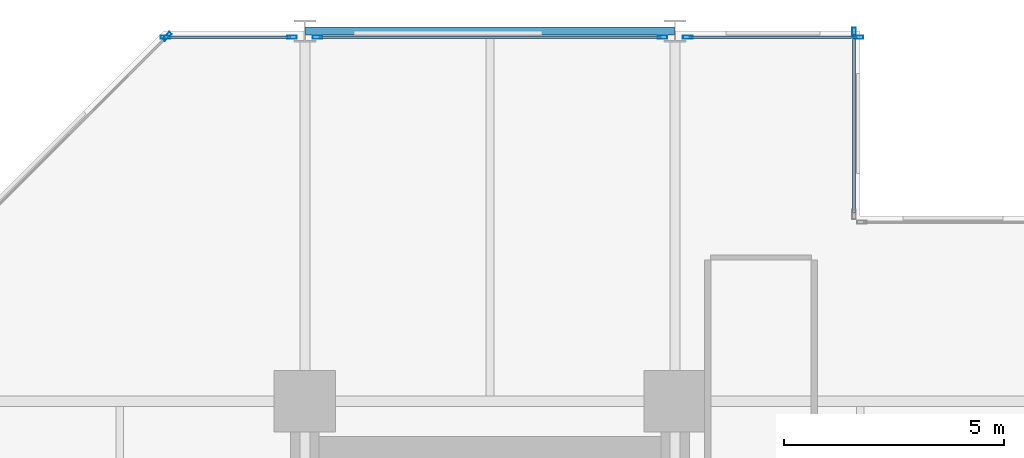
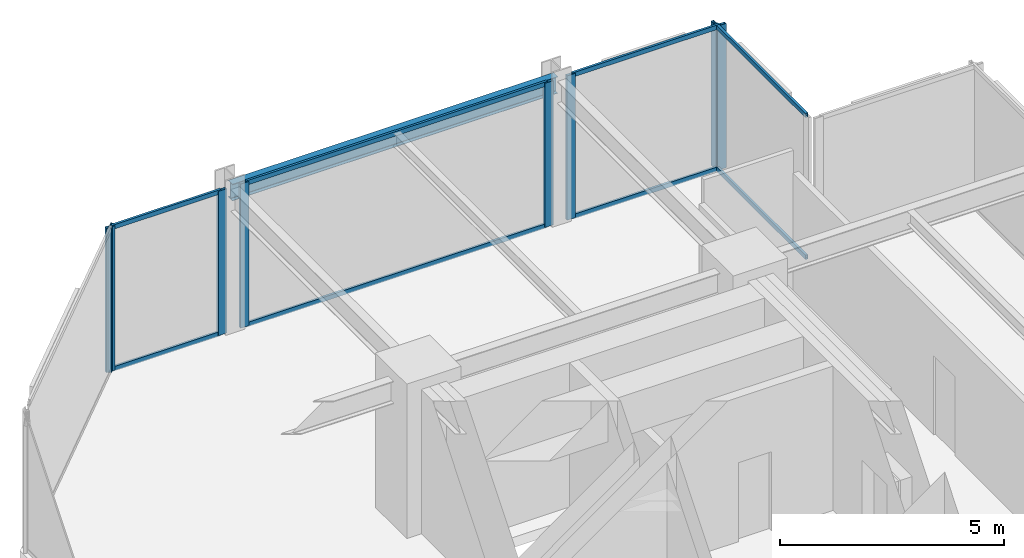
# One storey, part 17 of 24: 16 members, 1 beam, 5 elements without a shape of their own.
"""IFC4 building model written with IfcOpenShell, lengths in metres."""

from ifc_helpers import new_model, si_unit, direction, frame, origin, origin_2d, place, context, subcontext, project, spatial, hollow_rectangle, i_section, extrude, material, layer, layer_set, material_profile, profile_set, type_object, element, aggregate, save


model = new_model("IFC4")

# Units and contexts
model_context = context("Model", 3, precision=1e-05, world=origin(), true_north=direction((0.0, 1.0)))
body_context = subcontext(model_context, "Body", "Model", "MODEL_VIEW")
ifc_project = project(units=[si_unit("LENGTHUNIT", "METRE"), si_unit("AREAUNIT", "SQUARE_METRE"), si_unit("VOLUMEUNIT", "CUBIC_METRE"), si_unit("PLANEANGLEUNIT", "RADIAN"), si_unit("MASSUNIT", "GRAM", prefix="KILO")], contexts=[model_context])

# Site, building, storey
site_placement = place(None, origin())
site = spatial("IfcSite", under=ifc_project, at=site_placement, CompositionType="ELEMENT")
building_placement = place(site_placement, origin())
building = spatial("IfcBuilding", under=site, at=building_placement, Name="Nerrivon Quay Data Exchange", CompositionType="ELEMENT")
storey_placement = place(building_placement, frame((0.0, 0.0, 33.199951171875)))
storey = spatial("IfcBuildingStorey", under=building, at=storey_placement, Name="L07", CompositionType="ELEMENT", Elevation=33.199951171875)

# Beam
ifc_material_1 = material(Name="Steel Grade 350", Category="steel")
ifc_material_profile_1 = material_profile(ifc_material_1, i_section(OverallWidth=0.18994140625, OverallDepth=0.4541015625, WebThickness=0.008544921875, FlangeThickness=0.0126953125, FilletRadius=0.011474609375, at=origin_2d()), Name="460UB67.1")
ifc_profile_set_1 = profile_set([ifc_material_profile_1], Name="Steel Grade 350")
beam_type = type_object("IfcBeamType", Name="BM-SP1-460UB67", PredefinedType="SPANDREL", material=ifc_profile_set_1)
beam_placement = place(storey_placement, frame((8.4140625, 50.39990234375, 3.697998046875), z_axis=(1.0, 0.0, 0.0), x_axis=(0.0, 1.0, 0.0)))
element("IfcBeam", 1, at=beam_placement, inside=storey, type_object=beam_type, Name="L07 EW Girder Y=50.4 (8.4..16.8)", PredefinedType="SPANDREL", context=body_context, shape_type="SweptSolid", body=[
    extrude(i_section(OverallWidth=0.18994140625, OverallDepth=0.4541015625, WebThickness=0.008544921875, FlangeThickness=0.0126953125, FilletRadius=0.011474609375, at=origin_2d()), origin(), (0.0, 0.0, 1.0), 8.371826171875),
])

# Curtain wall, member
ifc_material_2 = material(Name="Anodised aluminium 6063-T6", Category="aluminium")
ifc_layer = layer(ifc_material_2, 0.219970703125)
ifc_layer_set = layer_set([ifc_layer], Name="Anodised aluminium 6063-T6")
curtain_wall_type = type_object("IfcCurtainWallType", Name="CW-SYS-01", PredefinedType="NOTDEFINED", material=ifc_layer_set)
curtain_wall_1_placement = place(storey_placement, origin())
curtain_wall_1 = element("IfcCurtainWall", 2, at=curtain_wall_1_placement, inside=storey, type_object=curtain_wall_type, Name="L07 Unitised Curtain Wall 19", PredefinedType="NOTDEFINED")
ifc_material_profile_2 = material_profile(ifc_material_2, hollow_rectangle(XDim=0.074951171875, YDim=0.219970703125, WallThickness=0.00390625, at=origin_2d()), Name="ALU-MULL-220x75")
ifc_profile_set_2 = profile_set([ifc_material_profile_2], Name="Anodised aluminium 6063-T6")
member_type_1 = type_object("IfcMemberType", Name="CWM-220x75", PredefinedType="MULLION", material=ifc_profile_set_2)
member_1_placement = place(storey_placement, frame((5.2724609375, 50.2744140625, 0.0), z_axis=(0.0, 0.0, 1.0), x_axis=(-0.707106781187, 0.707106781187, 0.0)))
member_1 = element("IfcMember", 3, at=member_1_placement, type_object=member_type_1, Name="CW01 mullion 2", PredefinedType="MULLION", context=body_context, shape_type="SweptSolid", body=[
    extrude(hollow_rectangle(XDim=0.074951171875, YDim=0.219970703125, WallThickness=0.00390625, at=origin_2d()), origin(), (0.0, 0.0, 1.0), 3.925048828125),
])
aggregate(curtain_wall_1, [member_1])

# Curtain wall, members
curtain_wall_2_placement = place(storey_placement, origin())
curtain_wall_2 = element("IfcCurtainWall", 4, at=curtain_wall_2_placement, inside=storey, type_object=curtain_wall_type, Name="L07 Unitised Curtain Wall 20", PredefinedType="NOTDEFINED")
member_2_placement = place(storey_placement, frame((5.237548828125, 50.260009765625, 0.0), z_axis=(0.0, 0.0, 1.0), x_axis=(0.0, 1.0, 0.0)))
member_2 = element("IfcMember", 5, at=member_2_placement, type_object=member_type_1, Name="CW01 mullion 1", PredefinedType="MULLION", context=body_context, shape_type="SweptSolid", body=[
    extrude(hollow_rectangle(XDim=0.074951171875, YDim=0.219970703125, WallThickness=0.00390625, at=origin_2d()), origin(), (0.0, 0.0, 1.0), 3.925048828125),
])
member_3_placement = place(storey_placement, frame((8.112548828125, 50.260009765625, 0.0), z_axis=(0.0, 0.0, 1.0), x_axis=(0.0, 1.0, 0.0)))
member_3 = element("IfcMember", 6, at=member_3_placement, type_object=member_type_1, Name="CW01 mullion 2", PredefinedType="MULLION", context=body_context, shape_type="SweptSolid", body=[
    extrude(hollow_rectangle(XDim=0.074951171875, YDim=0.219970703125, WallThickness=0.00390625, at=origin_2d()), origin(), (0.0, 0.0, 1.0), 3.925048828125),
])

curtain_wall_3_placement = place(storey_placement, origin())
curtain_wall_3 = element("IfcCurtainWall", 7, at=curtain_wall_3_placement, inside=storey, type_object=curtain_wall_type, Name="L07 Unitised Curtain Wall 21", PredefinedType="NOTDEFINED")
member_4_placement = place(storey_placement, frame((8.6875, 50.260009765625, 0.0), z_axis=(0.0, 0.0, 1.0), x_axis=(0.0, 1.0, 0.0)))
member_4 = element("IfcMember", 8, at=member_4_placement, type_object=member_type_1, Name="CW01 mullion 1", PredefinedType="MULLION", context=body_context, shape_type="SweptSolid", body=[
    extrude(hollow_rectangle(XDim=0.074951171875, YDim=0.219970703125, WallThickness=0.00390625, at=origin_2d()), origin(), (0.0, 0.0, 1.0), 3.925048828125),
])
member_5_placement = place(storey_placement, frame((16.512451171875, 50.260009765625, 0.0), z_axis=(0.0, 0.0, 1.0), x_axis=(0.0, 1.0, 0.0)))
member_5 = element("IfcMember", 9, at=member_5_placement, type_object=member_type_1, Name="CW01 mullion 2", PredefinedType="MULLION", context=body_context, shape_type="SweptSolid", body=[
    extrude(hollow_rectangle(XDim=0.074951171875, YDim=0.219970703125, WallThickness=0.00390625, at=origin_2d()), origin(), (0.0, 0.0, 1.0), 3.925048828125),
])

curtain_wall_4_placement = place(storey_placement, origin())
curtain_wall_4 = element("IfcCurtainWall", 10, at=curtain_wall_4_placement, inside=storey, type_object=curtain_wall_type, Name="L07 Unitised Curtain Wall 22", PredefinedType="NOTDEFINED")
member_6_placement = place(storey_placement, frame((17.08740234375, 50.260009765625, 0.0), z_axis=(0.0, 0.0, 1.0), x_axis=(0.0, 1.0, 0.0)))
member_6 = element("IfcMember", 11, at=member_6_placement, type_object=member_type_1, Name="CW01 mullion 1", PredefinedType="MULLION", context=body_context, shape_type="SweptSolid", body=[
    extrude(hollow_rectangle(XDim=0.074951171875, YDim=0.219970703125, WallThickness=0.00390625, at=origin_2d()), origin(), (0.0, 0.0, 1.0), 3.925048828125),
])
member_7_placement = place(storey_placement, frame((20.96240234375, 50.260009765625, 0.0), z_axis=(0.0, 0.0, 1.0), x_axis=(0.0, 1.0, 0.0)))
member_7 = element("IfcMember", 12, at=member_7_placement, type_object=member_type_1, Name="CW01 mullion 2", PredefinedType="MULLION", context=body_context, shape_type="SweptSolid", body=[
    extrude(hollow_rectangle(XDim=0.074951171875, YDim=0.219970703125, WallThickness=0.00390625, at=origin_2d()), origin(), (0.0, 0.0, 1.0), 3.925048828125),
])

# Curtain wall, member
curtain_wall_5_placement = place(storey_placement, origin())
curtain_wall_5 = element("IfcCurtainWall", 13, at=curtain_wall_5_placement, inside=storey, type_object=curtain_wall_type, Name="L07 Unitised Curtain Wall 23", PredefinedType="NOTDEFINED")
member_8_placement = place(storey_placement, frame((20.860107421875, 50.362548828125, 0.0), z_axis=(0.0, 0.0, 1.0), x_axis=(1.0, 0.0, 0.0)))
member_8 = element("IfcMember", 14, at=member_8_placement, type_object=member_type_1, Name="CW01 mullion 1", PredefinedType="MULLION", context=body_context, shape_type="SweptSolid", body=[
    extrude(hollow_rectangle(XDim=0.074951171875, YDim=0.219970703125, WallThickness=0.00390625, at=origin_2d()), origin(), (0.0, 0.0, 1.0), 3.925048828125),
])

# Member
ifc_material_profile_3 = material_profile(ifc_material_2, hollow_rectangle(XDim=0.06005859375, YDim=0.1201171875, WallThickness=0.003173828125, at=origin_2d()), Name="ALU-TRAN-120x60")
ifc_profile_set_3 = profile_set([ifc_material_profile_3], Name="Anodised aluminium 6063-T6")
member_type_2 = type_object("IfcMemberType", Name="CWT-120x60", PredefinedType="USERDEFINED", material=ifc_profile_set_3)
member_9_placement = place(storey_placement, frame((5.27490234375, 50.260009765625, 0.032470703125), z_axis=(1.0, 0.0, 0.0), x_axis=(0.0, 1.0, 0.0)))
member_9 = element("IfcMember", 15, at=member_9_placement, type_object=member_type_2, Name="CW01 transom 1.1", ObjectType="TRANSOM", PredefinedType="USERDEFINED", context=body_context, shape_type="SweptSolid", body=[
    extrude(hollow_rectangle(XDim=0.06005859375, YDim=0.1201171875, WallThickness=0.003173828125, at=origin_2d()), origin(), (0.0, 0.0, 1.0), 2.800048828125),
])

member_10_placement = place(storey_placement, frame((5.27490234375, 50.260009765625, 3.892578125), z_axis=(1.0, 0.0, 0.0), x_axis=(0.0, 1.0, 0.0)))
member_10 = element("IfcMember", 16, at=member_10_placement, type_object=member_type_2, Name="CW01 transom 1.2", ObjectType="TRANSOM", PredefinedType="USERDEFINED", context=body_context, shape_type="SweptSolid", body=[
    extrude(hollow_rectangle(XDim=0.06005859375, YDim=0.1201171875, WallThickness=0.003173828125, at=origin_2d()), origin(), (0.0, 0.0, 1.0), 2.800048828125),
])

aggregate(curtain_wall_2, [member_2, member_3, member_9, member_10])

member_11_placement = place(storey_placement, frame((8.72509765625, 50.260009765625, 0.032470703125), z_axis=(1.0, 0.0, 0.0), x_axis=(0.0, 1.0, 0.0)))
member_11 = element("IfcMember", 17, at=member_11_placement, type_object=member_type_2, Name="CW01 transom 1.1", ObjectType="TRANSOM", PredefinedType="USERDEFINED", context=body_context, shape_type="SweptSolid", body=[
    extrude(hollow_rectangle(XDim=0.06005859375, YDim=0.1201171875, WallThickness=0.003173828125, at=origin_2d()), origin(), (0.0, 0.0, 1.0), 7.75),
])

member_12_placement = place(storey_placement, frame((8.72509765625, 50.260009765625, 3.892578125), z_axis=(1.0, 0.0, 0.0), x_axis=(0.0, 1.0, 0.0)))
member_12 = element("IfcMember", 18, at=member_12_placement, type_object=member_type_2, Name="CW01 transom 1.2", ObjectType="TRANSOM", PredefinedType="USERDEFINED", context=body_context, shape_type="SweptSolid", body=[
    extrude(hollow_rectangle(XDim=0.06005859375, YDim=0.1201171875, WallThickness=0.003173828125, at=origin_2d()), origin(), (0.0, 0.0, 1.0), 7.75),
])

aggregate(curtain_wall_3, [member_4, member_5, member_11, member_12])

member_13_placement = place(storey_placement, frame((17.125, 50.260009765625, 0.032470703125), z_axis=(1.0, 0.0, 0.0), x_axis=(0.0, 1.0, 0.0)))
member_13 = element("IfcMember", 19, at=member_13_placement, type_object=member_type_2, Name="CW01 transom 1.1", ObjectType="TRANSOM", PredefinedType="USERDEFINED", context=body_context, shape_type="SweptSolid", body=[
    extrude(hollow_rectangle(XDim=0.06005859375, YDim=0.1201171875, WallThickness=0.003173828125, at=origin_2d()), origin(), (0.0, 0.0, 1.0), 3.800048828125),
])

member_14_placement = place(storey_placement, frame((17.125, 50.260009765625, 3.892578125), z_axis=(1.0, 0.0, 0.0), x_axis=(0.0, 1.0, 0.0)))
member_14 = element("IfcMember", 20, at=member_14_placement, type_object=member_type_2, Name="CW01 transom 1.2", ObjectType="TRANSOM", PredefinedType="USERDEFINED", context=body_context, shape_type="SweptSolid", body=[
    extrude(hollow_rectangle(XDim=0.06005859375, YDim=0.1201171875, WallThickness=0.003173828125, at=origin_2d()), origin(), (0.0, 0.0, 1.0), 3.800048828125),
])

aggregate(curtain_wall_4, [member_6, member_7, member_13, member_14])

member_15_placement = place(storey_placement, frame((20.860107421875, 50.324951171875, 0.032470703125), z_axis=(0.0, -1.0, 0.0), x_axis=(1.0, 0.0, 0.0)))
member_15 = element("IfcMember", 21, at=member_15_placement, type_object=member_type_2, Name="CW01 transom 1.1", ObjectType="TRANSOM", PredefinedType="USERDEFINED", context=body_context, shape_type="SweptSolid", body=[
    extrude(hollow_rectangle(XDim=0.06005859375, YDim=0.1201171875, WallThickness=0.003173828125, at=origin_2d()), origin(), (0.0, 0.0, 1.0), 4.050048828125),
])

member_16_placement = place(storey_placement, frame((20.860107421875, 50.324951171875, 3.892578125), z_axis=(0.0, -1.0, 0.0), x_axis=(1.0, 0.0, 0.0)))
member_16 = element("IfcMember", 22, at=member_16_placement, type_object=member_type_2, Name="CW01 transom 1.2", ObjectType="TRANSOM", PredefinedType="USERDEFINED", context=body_context, shape_type="SweptSolid", body=[
    extrude(hollow_rectangle(XDim=0.06005859375, YDim=0.1201171875, WallThickness=0.003173828125, at=origin_2d()), origin(), (0.0, 0.0, 1.0), 4.050048828125),
])

aggregate(curtain_wall_5, [member_8, member_15, member_16])

save(model, "model.ifc")
